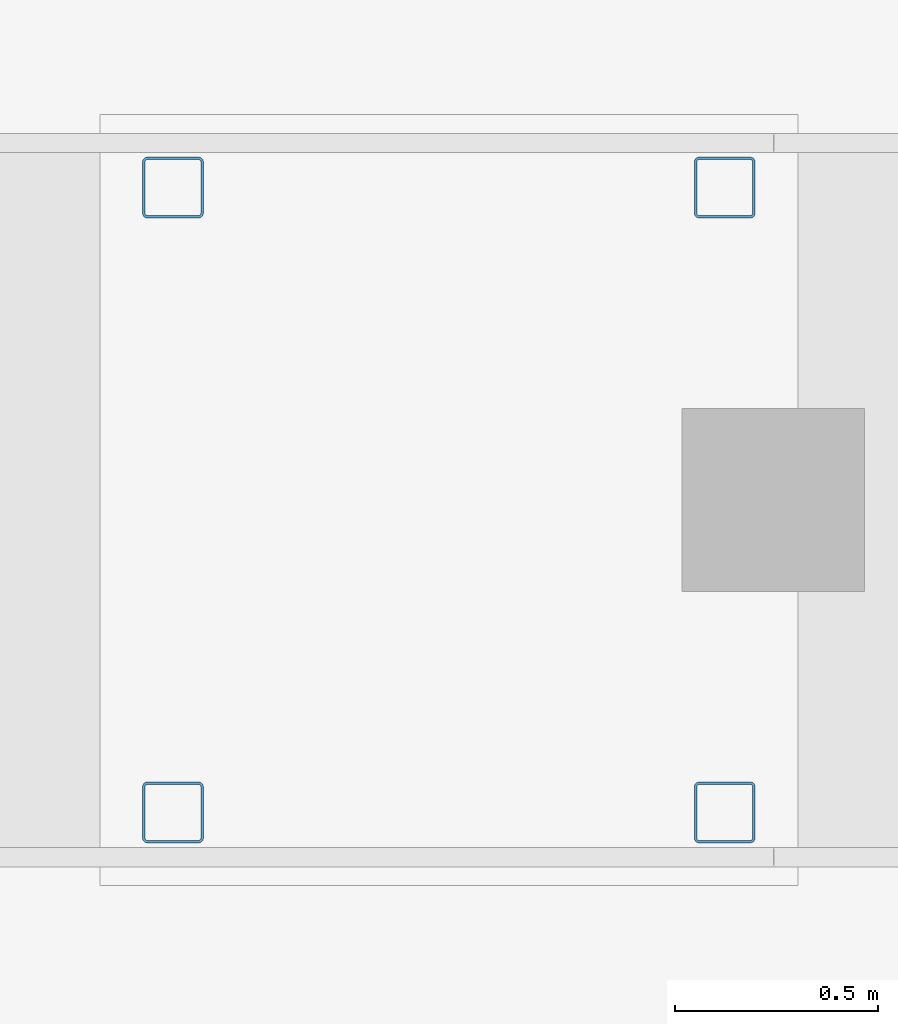
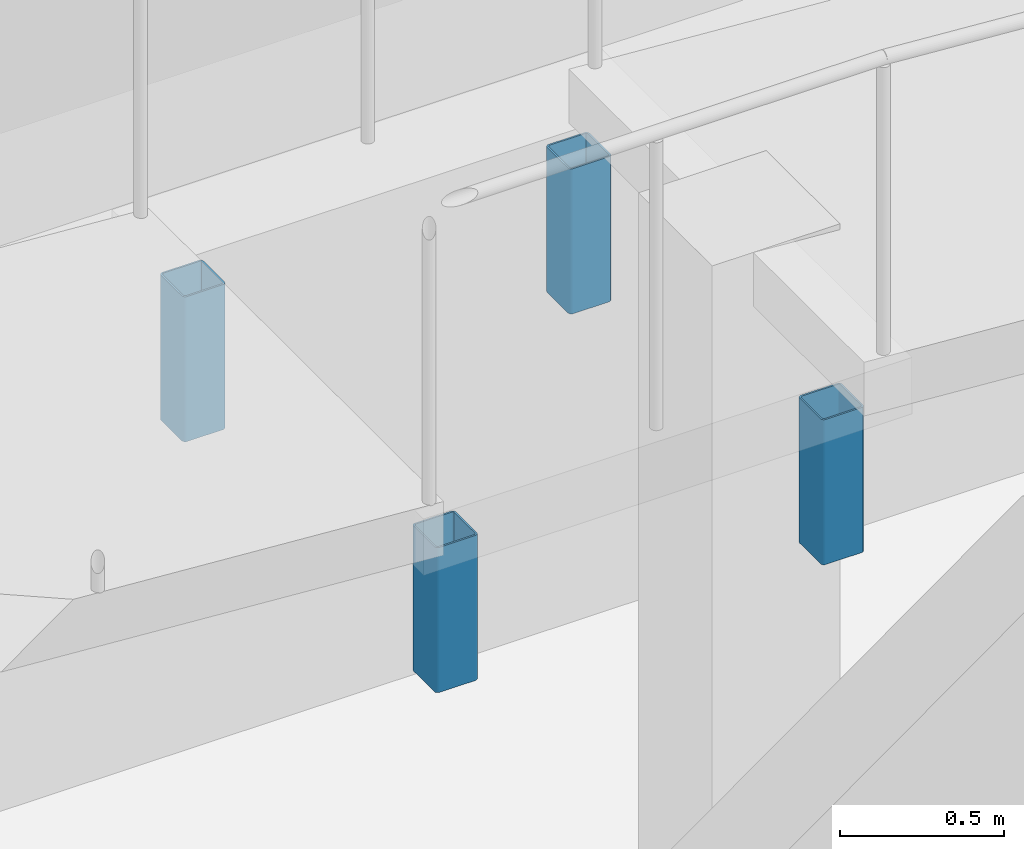
# One storey, part 22 of 85: 4 columns.
"""IFC4 building model written with IfcOpenShell, lengths in metres."""

from ifc_helpers import new_model, si_unit, direction, frame, origin, origin_2d, place, context, subcontext, project, spatial, hollow_rectangle, extrude, material, material_profile, profile_set, type_object, element, save


model = new_model("IFC4")

# Units and contexts
model_context = context("Model", 3, precision=1e-05, world=origin(), true_north=direction((0.0, 1.0)))
body_context = subcontext(model_context, "Body", "Model", "MODEL_VIEW")
ifc_project = project(units=[si_unit("LENGTHUNIT", "METRE"), si_unit("AREAUNIT", "SQUARE_METRE"), si_unit("VOLUMEUNIT", "CUBIC_METRE"), si_unit("PLANEANGLEUNIT", "RADIAN"), si_unit("MASSUNIT", "GRAM", prefix="KILO")], contexts=[model_context])

# Site, building, storey
site_placement = place(None, origin())
site = spatial("IfcSite", under=ifc_project, at=site_placement, CompositionType="ELEMENT")
building_placement = place(site_placement, origin())
building = spatial("IfcBuilding", under=site, at=building_placement, Name="Ochrevale Crest", CompositionType="ELEMENT")
storey_placement = place(building_placement, origin())
storey = spatial("IfcBuildingStorey", under=building, at=storey_placement, Name="L00", CompositionType="ELEMENT", Elevation=0.0)

# Columns
ifc_material = material(Name="Steel S355", Category="steel")
ifc_material_profile = material_profile(ifc_material, hollow_rectangle(XDim=0.14990234375, YDim=0.14990234375, WallThickness=0.006103515625, InnerFilletRadius=0.006103515625, OuterFilletRadius=0.011962890625, at=origin_2d()), Name="150x150x6.0SHS")
ifc_profile_set = profile_set([ifc_material_profile], Name="Steel S355")
column_type = type_object("IfcColumnType", Name="COL-SHS150", PredefinedType="COLUMN", material=ifc_profile_set)
for number, where, z_axis, x_axis, name in (
    (1, (117.02001953125, 68.830078125, 2.25), (0.0, 0.0, 1.0), (1.0, 0.0, 0.0), "Ramp landing RMP-ACC-E2-L1 support post 1"),
    (2, (118.3798828125, 68.830078125, 2.25), (0.0, 0.0, 1.0), (1.0, 0.0, 0.0), "Ramp landing RMP-ACC-E2-L1 support post 2"),
    (3, (117.02001953125, 70.3701171875, 2.25), (0.0, 0.0, 1.0), (1.0, 0.0, 0.0), "Ramp landing RMP-ACC-E2-L1 support post 3"),
    (4, (118.3798828125, 70.3701171875, 2.25), (0.0, 0.0, 1.0), (1.0, 0.0, 0.0), "Ramp landing RMP-ACC-E2-L1 support post 4"),
):
    element("IfcColumn", number, at=place(storey_placement, frame(where, z_axis=z_axis, x_axis=x_axis)), inside=storey, type_object=column_type, Name=name, PredefinedType="COLUMN", context=body_context, shape_type="SweptSolid", body=[
        extrude(hollow_rectangle(XDim=0.14990234375, YDim=0.14990234375, WallThickness=0.006103515625, InnerFilletRadius=0.006103515625, OuterFilletRadius=0.011962890625, at=origin_2d()), origin(), (0.0, 0.0, 1.0), 0.5400390625),
    ])

save(model, "model.ifc")
